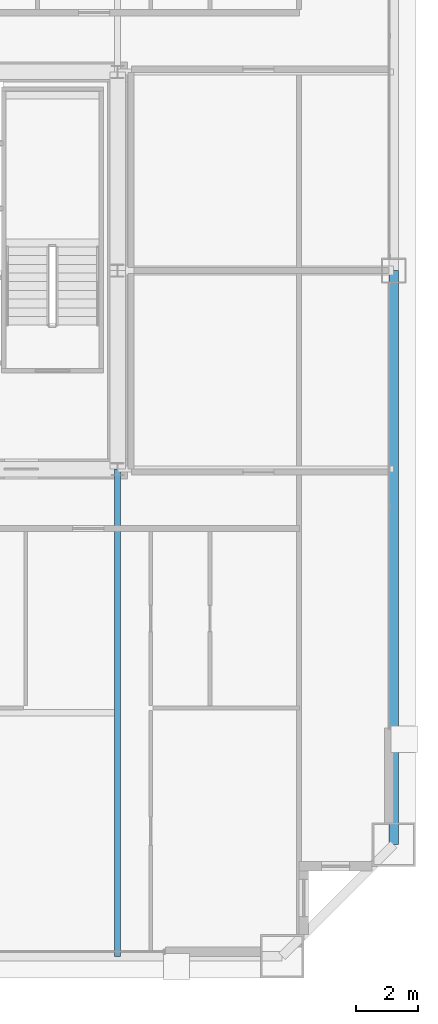
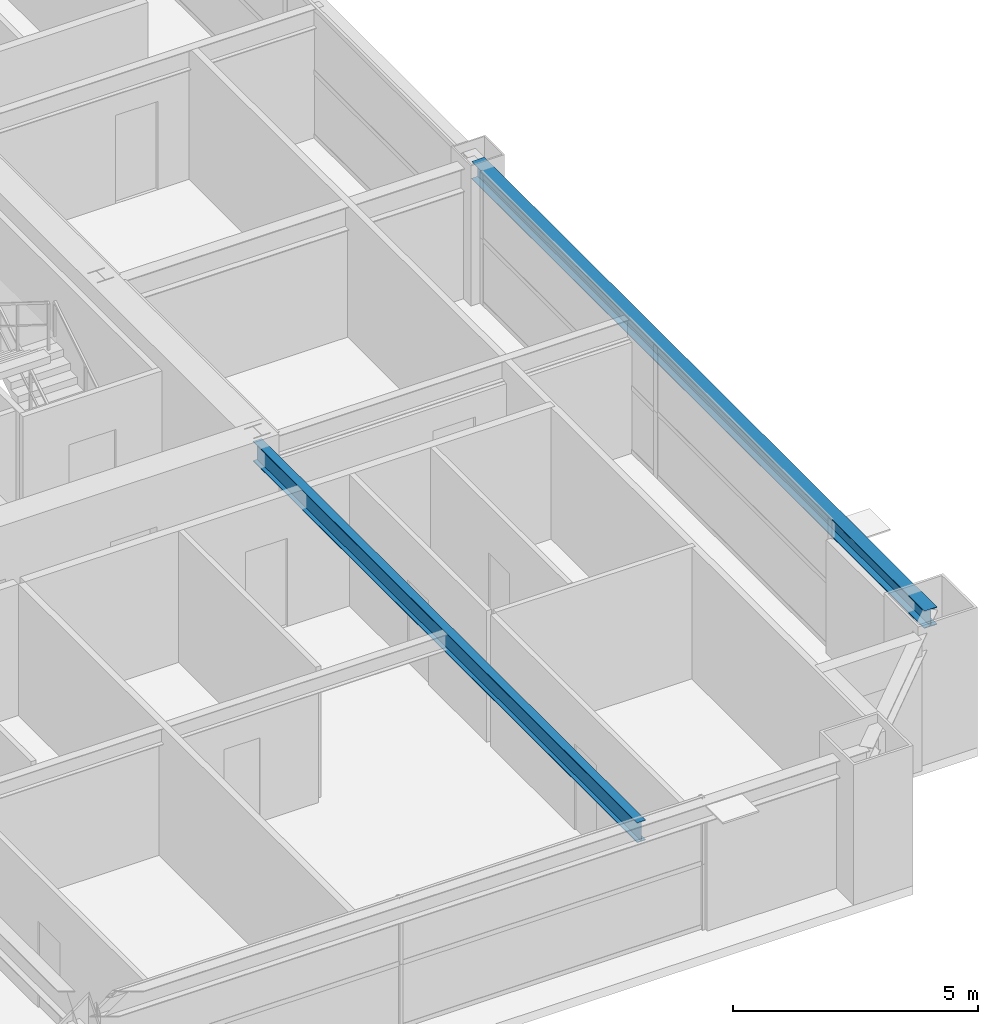
# One storey, part 17 of 38: 2 beams.
"""IFC4 building model written with IfcOpenShell, lengths in metres."""

from ifc_helpers import new_model, si_unit, direction, frame, origin, origin_2d, place, context, subcontext, project, spatial, i_section, extrude, source, transform, mapped, material, material_profile, profile_set, type_object, element, save


model = new_model("IFC4")

# Units and contexts
model_context = context("Model", 3, precision=1e-05, world=origin(), true_north=direction((0.0, 1.0)))
body_context = subcontext(model_context, "Body", "Model", "MODEL_VIEW")
ifc_project = project(units=[si_unit("LENGTHUNIT", "METRE"), si_unit("AREAUNIT", "SQUARE_METRE"), si_unit("VOLUMEUNIT", "CUBIC_METRE"), si_unit("PLANEANGLEUNIT", "RADIAN"), si_unit("MASSUNIT", "GRAM", prefix="KILO"), si_unit("THERMODYNAMICTEMPERATUREUNIT", "KELVIN"), si_unit("POWERUNIT", "WATT")], contexts=[model_context])

# Site, building, storey
site_placement = place(None, origin())
site = spatial("IfcSite", under=ifc_project, at=site_placement, CompositionType="ELEMENT")
building_placement = place(site_placement, origin())
building = spatial("IfcBuilding", under=site, at=building_placement, Name="Yuzanri Waterfront Tower", CompositionType="ELEMENT")
storey_placement = place(building_placement, frame((0.0, 0.0, 202.0)))
storey = spatial("IfcBuildingStorey", under=building, at=storey_placement, Name="L53", CompositionType="ELEMENT", Elevation=202.0)

# Beams
ifc_material_1 = material(Name="Steel Q355B", Category="steel")
ifc_material_profile_1 = material_profile(ifc_material_1, i_section(OverallWidth=0.300048828125, OverallDepth=0.43994140625, WebThickness=0.010986328125, FlangeThickness=0.01806640625, at=origin_2d()), Name="HM 440x300x11x18")
ifc_profile_set_1 = profile_set([ifc_material_profile_1], Name="Steel Q355B")
beam_type_1 = type_object("IfcBeamType", Name="Perimeter Spandrel Q355B HM 440x300", PredefinedType="SPANDREL", material=ifc_profile_set_1)
shared_shape_1 = source(origin(), body_context, "Body", "SweptSolid", [
    extrude(i_section(OverallWidth=0.300048828125, OverallDepth=0.43994140625, WebThickness=0.010986328125, FlangeThickness=0.01806640625, at=origin_2d()), origin(), (0.0, 0.0, 1.0), 18.5),
])
beam_1_placement = place(storey_placement, frame((59.10009765625, 7.300048828125, 3.06005859375), z_axis=(0.0, 1.0, 0.0), x_axis=(-1.0, 0.0, 0.0)))
element("IfcBeam", 1, at=beam_1_placement, inside=storey, type_object=beam_type_1, Name="L53 Perimeter Spandrel E1-E2", PredefinedType="SPANDREL", context=body_context, shape_type="MappedRepresentation", body=[
    mapped(shared_shape_1, transform((0.0, 0.0, 0.0), scale=1.0)),
])
ifc_material_2 = material(Name="Steel Q355B", Category="steel")
ifc_material_profile_2 = material_profile(ifc_material_2, i_section(OverallWidth=0.199951171875, OverallDepth=0.5, WebThickness=0.010009765625, FlangeThickness=0.01611328125, at=origin_2d()), Name="HN 500x200x10x16")
ifc_profile_set_2 = profile_set([ifc_material_profile_2], Name="Steel Q355B")
beam_type_2 = type_object("IfcBeamType", Name="Secondary Floor Beam Q355B HN 500x200", PredefinedType="BEAM", material=ifc_profile_set_2)
shared_shape_2 = source(origin(), body_context, "Body", "SweptSolid", [
    extrude(i_section(OverallWidth=0.199951171875, OverallDepth=0.5, WebThickness=0.010009765625, FlangeThickness=0.01611328125, at=origin_2d()), origin(), (0.0, 0.0, 1.0), 15.699951171875),
])
beam_2_placement = place(storey_placement, frame((50.199951171875, 19.39990234375, 3.030029296875), z_axis=(0.0, -1.0, 0.0), x_axis=(1.0, 0.0, 0.0)))
element("IfcBeam", 2, at=beam_2_placement, inside=storey, type_object=beam_type_2, Name="L53 South-East Core Line Beam", PredefinedType="BEAM", context=body_context, shape_type="MappedRepresentation", body=[
    mapped(shared_shape_2, transform((0.0, 0.0, 0.0), scale=1.0)),
])

save(model, "model.ifc")
